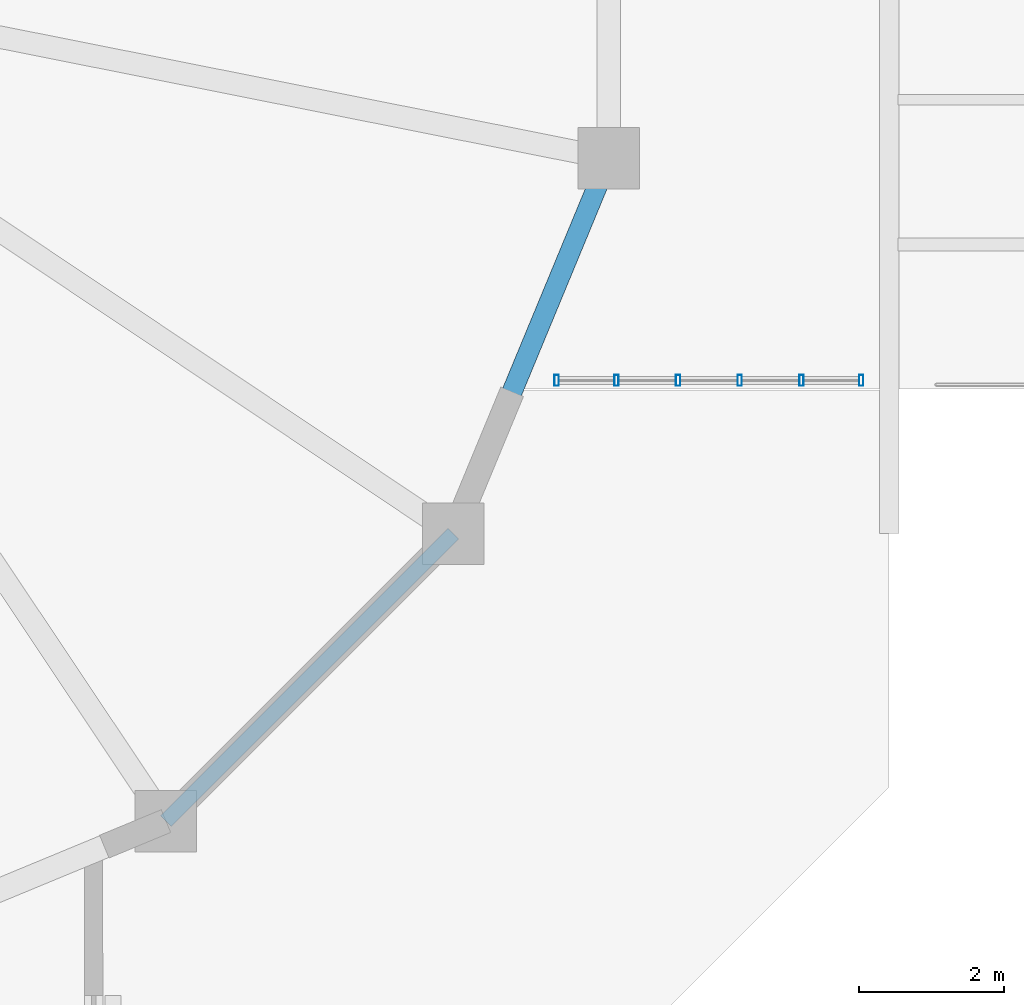
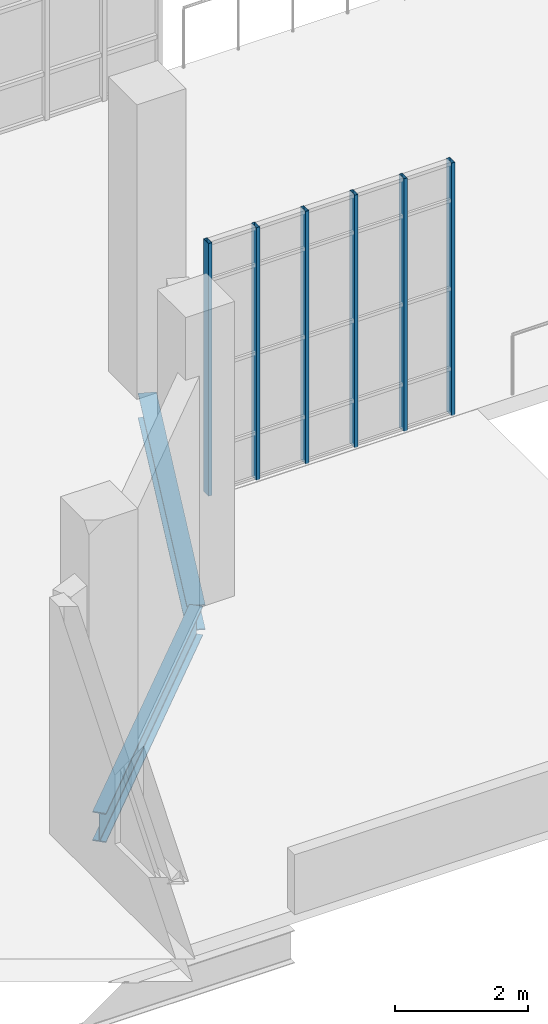
# One storey, part 21 of 142: 6 members, 2 beams, 1 element without a shape of its own.
"""IFC4 building model written with IfcOpenShell, lengths in metres."""

import ifcopenshell
import ifcopenshell.guid

model = None  # the IFC model being written
_history = None  # IfcOwnerHistory: only IFC2X3 demands one
_inside = {}  # id of a spatial element -> (the spatial element, [elements in it])
_under = {}  # id of a project, library or spatial element -> (it, [spatial elements below it])
_declared = {}  # id of a project -> (the project, [libraries it declares])
_typed = {}  # id of a type object -> (the type object, [elements of that type])
_made_of = {}  # id of a material, layer set ... -> (it, [elements and type objects made of it])


def new_model(schema):
    """Start an empty IFC model of exactly this schema.

    Asked for "IFC4X3", IfcOpenShell would pick the latest addendum, in which some entities
    have other attributes; the version numbers below select the first issue.
    IFC2X3 requires an IfcOwnerHistory on every rooted entity: one is made here for all.
    """
    global model, _history
    if schema == "IFC4X3":
        model = ifcopenshell.file(schema_version=(4, 3, 0, 0))
    else:
        model = ifcopenshell.file(schema=schema)
    _inside.clear()
    _under.clear()
    _declared.clear()
    _typed.clear()
    _made_of.clear()
    _history = None
    if model.schema == "IFC2X3":
        org = make("IfcOrganization", Name="unknown")
        user = make(
            "IfcPersonAndOrganization",
            ThePerson=make("IfcPerson", FamilyName="unknown"),
            TheOrganization=org,
        )
        app = make(
            "IfcApplication",
            ApplicationDeveloper=org,
            Version="unknown",
            ApplicationFullName="unknown",
            ApplicationIdentifier="unknown",
        )
        _history = make(
            "IfcOwnerHistory",
            OwningUser=user,
            OwningApplication=app,
            ChangeAction="ADDED",
            CreationDate=0,
        )
    return model


def make(cls, **values):
    """One entity of the class cls with the attributes given. An attribute that is None is left unset."""
    return model.create_entity(
        cls, **{name: value for name, value in values.items() if value is not None}
    )


def rooted(cls, **values):
    """An entity with a GlobalId (a new one), such as an element, a storey or a relation."""
    return make(cls, GlobalId=ifcopenshell.guid.new(), OwnerHistory=_history, **values)


def si_unit(unit_type, name, prefix=None):
    """IfcSIUnit, for example si_unit("LENGTHUNIT", "METRE", prefix="MILLI")."""
    return make("IfcSIUnit", UnitType=unit_type, Prefix=prefix, Name=name)


def assignment(units):
    """IfcUnitAssignment: the units of a project."""
    return None if units is None else make("IfcUnitAssignment", Units=units)


def point(xyz):
    """IfcCartesianPoint."""
    return None if xyz is None else make("IfcCartesianPoint", Coordinates=xyz)


def direction(xyz):
    """IfcDirection."""
    return None if xyz is None else make("IfcDirection", DirectionRatios=xyz)


def frame(location, z_axis=None, x_axis=None):
    """IfcAxis2Placement3D, a coordinate frame: its origin and axes. An axis left out is left unset."""
    return make(
        "IfcAxis2Placement3D",
        Location=point(location),
        Axis=direction(z_axis),
        RefDirection=direction(x_axis),
    )


def frame_2d(location, x_axis=None):
    """IfcAxis2Placement2D, a coordinate frame in the plane: its origin and x axis."""
    return make(
        "IfcAxis2Placement2D", Location=point(location), RefDirection=direction(x_axis)
    )


def origin():
    """The frame at (0, 0, 0) with its axes left unset."""
    return frame((0.0, 0.0, 0.0))


def origin_2d():
    """The frame at (0, 0) in the plane with its x axis left unset."""
    return frame_2d((0.0, 0.0))


def place(relative_to, where):
    """IfcLocalPlacement: puts the frame where relative to a parent placement (None: the world)."""
    return make(
        "IfcLocalPlacement", PlacementRelTo=relative_to, RelativePlacement=where
    )


def context(
    kind, dimensions, precision=None, world=None, true_north=None, identifier=None
):
    """IfcGeometricRepresentationContext, for example the 3D "Model" context."""
    return make(
        "IfcGeometricRepresentationContext",
        ContextIdentifier=identifier,
        ContextType=kind,
        CoordinateSpaceDimension=dimensions,
        Precision=precision,
        WorldCoordinateSystem=world,
        TrueNorth=true_north,
    )


def subcontext(parent, identifier, kind, view, scale=None):
    """IfcGeometricRepresentationSubContext, for example "Body" below "Model"."""
    return make(
        "IfcGeometricRepresentationSubContext",
        ContextIdentifier=identifier,
        ContextType=kind,
        ParentContext=parent,
        TargetScale=scale,
        TargetView=view,
    )


def project(units=None, contexts=None):
    """IfcProject with its units and contexts."""
    return rooted(
        "IfcProject",
        Name="project",
        RepresentationContexts=contexts,
        UnitsInContext=assignment(units),
    )


def spatial(cls, under=None, at=None, **own):
    """A site, building, storey or space (cls), placed at a placement, below another one or the project."""
    s = rooted(cls, ObjectPlacement=at, **own)
    if under is not None:
        _under.setdefault(under.id(), (under, []))[1].append(s)
    return s


def profile(cls, at=None, kind="AREA", **sizes):
    """A parametric profile (cls). Its sizes go by their IFC names, for example OverallWidth=200.0."""
    return make(cls, ProfileType=kind, Position=at, **sizes)


def hollow_rectangle(**sizes):
    """IfcRectangleHollowProfileDef."""
    return profile("IfcRectangleHollowProfileDef", **sizes)


def i_section(**sizes):
    """IfcIShapeProfileDef."""
    return profile("IfcIShapeProfileDef", **sizes)


def extrude(swept, where, along, depth):
    """IfcExtrudedAreaSolid: the profile swept, set in the frame where, extruded along a direction by depth."""
    return make(
        "IfcExtrudedAreaSolid",
        SweptArea=swept,
        Position=where,
        ExtrudedDirection=direction(along),
        Depth=depth,
    )


def shape(context_of_items, identifier, shape_type, items):
    """IfcShapeRepresentation: the items that make up one representation, for example the "Body"."""
    return make(
        "IfcShapeRepresentation",
        ContextOfItems=context_of_items,
        RepresentationIdentifier=identifier,
        RepresentationType=shape_type,
        Items=items,
    )


def material(Name=None, Category=None):
    """IfcMaterial."""
    return make("IfcMaterial", Name=Name, Category=Category)


def layer(
    of_material, thickness, ventilated=None, Name=None, Category=None, Priority=None
):
    """IfcMaterialLayer: one layer of a wall or slab, of a material (None: an air gap)."""
    return make(
        "IfcMaterialLayer",
        Material=of_material,
        LayerThickness=thickness,
        IsVentilated=ventilated,
        Name=Name,
        Category=Category,
        Priority=Priority,
    )


def layer_set(layers, Name=None):
    """IfcMaterialLayerSet."""
    return make("IfcMaterialLayerSet", MaterialLayers=layers, LayerSetName=Name)


def material_profile(
    of_material, cross_section, Name=None, Category=None, Priority=None
):
    """IfcMaterialProfile: a cross section and its material."""
    return make(
        "IfcMaterialProfile",
        Name=Name,
        Material=of_material,
        Profile=cross_section,
        Priority=Priority,
        Category=Category,
    )


def profile_set(profiles, Name=None, composite=None):
    """IfcMaterialProfileSet."""
    return make(
        "IfcMaterialProfileSet",
        Name=Name,
        MaterialProfiles=profiles,
        CompositeProfile=composite,
    )


def made_of(thing, what):
    """Note that an element or type object is made of a material, layer set ...; save() writes the relation."""
    if what is not None:
        _made_of.setdefault(what.id(), (what, []))[1].append(thing)
    return thing


def type_object(cls, material=None, **own):
    """A type object (cls), such as IfcWallType, which elements share."""
    return made_of(rooted(cls, **own), material)


def element(
    cls,
    number,
    at=None,
    inside=None,
    cuts=None,
    type_object=None,
    material=None,
    context=None,
    identifier="Body",
    shape_type=None,
    held_by="IfcProductDefinitionShape",
    body=None,
    shapes=None,
    **own,
):
    """One element of the class cls, such as IfcWall. Its Tag is "e" and its number.

    at: its placement. inside: the storey or other place that contains it. cuts: it is an
    opening in that element (IfcRelVoidsElement). A single representation is given by context,
    identifier, shape_type and body (its items); several are given by shapes. held_by: the class
    of the entity that holds the representations. save() writes the other relations.
    """
    e = rooted(cls, Tag="e%d" % number, ObjectPlacement=at, **own)
    if body is not None:
        shapes = [shape(context, identifier, shape_type, body)]
    if shapes is not None:
        e.Representation = make(held_by, Representations=shapes)
    if inside is not None:
        _inside.setdefault(inside.id(), (inside, []))[1].append(e)
    if cuts is not None:
        rooted(
            "IfcRelVoidsElement", RelatingBuildingElement=cuts, RelatedOpeningElement=e
        )
    if type_object is not None:
        _typed.setdefault(type_object.id(), (type_object, []))[1].append(e)
    return made_of(e, material)


def aggregate(whole, parts):
    """IfcRelAggregates: a whole, such as a stair, and the parts it consists of."""
    return rooted("IfcRelAggregates", RelatingObject=whole, RelatedObjects=parts)


def save(model, path):
    """Write the relations noted so far, then the file.

    IfcRelAggregates (storeys below a building ...), IfcRelContainedInSpatialStructure (elements
    in a storey), IfcRelDefinesByType, IfcRelAssociatesMaterial and IfcRelDeclares: one each for
    every whole, place, type object, material and project.
    """
    for whole, parts in _under.values():
        aggregate(whole, parts)
    for where, things in _inside.values():
        rooted(
            "IfcRelContainedInSpatialStructure",
            RelatedElements=things,
            RelatingStructure=where,
        )
    for kind, things in _typed.values():
        rooted("IfcRelDefinesByType", RelatedObjects=things, RelatingType=kind)
    for what, things in _made_of.values():
        rooted("IfcRelAssociatesMaterial", RelatedObjects=things, RelatingMaterial=what)
    for by, libraries in _declared.values():
        rooted("IfcRelDeclares", RelatingContext=by, RelatedDefinitions=libraries)
    model.write(path)


model = new_model("IFC4")

# Units and contexts
model_context = context("Model", 3, precision=1e-05, world=origin(), true_north=direction((0.0, 1.0)))
body_context = subcontext(model_context, "Body", "Model", "MODEL_VIEW")
ifc_project = project(units=[si_unit("LENGTHUNIT", "METRE"), si_unit("AREAUNIT", "SQUARE_METRE"), si_unit("VOLUMEUNIT", "CUBIC_METRE"), si_unit("PLANEANGLEUNIT", "RADIAN"), si_unit("MASSUNIT", "GRAM", prefix="KILO"), si_unit("THERMODYNAMICTEMPERATUREUNIT", "KELVIN"), si_unit("POWERUNIT", "WATT")], contexts=[model_context])

# Site, building, storey
site_placement = place(None, origin())
site = spatial("IfcSite", under=ifc_project, at=site_placement, CompositionType="ELEMENT")
building_placement = place(site_placement, origin())
building = spatial("IfcBuilding", under=site, at=building_placement, Name="Zelmaris Science Centre", CompositionType="ELEMENT")
storey_placement = place(building_placement, frame((0.0, 0.0, 5.39990234375)))
storey = spatial("IfcBuildingStorey", under=building, at=storey_placement, Name="L01", CompositionType="ELEMENT", Elevation=5.39990234375)

# Curtain wall, members
ifc_material_1 = material(Name="Anodised architectural aluminium 6063-T6", Category="aluminium")
ifc_layer = layer(ifc_material_1, 0.219970703125, Name="Anodised architectural aluminium 6063-T6")
ifc_layer_set = layer_set([ifc_layer], Name="Anodised architectural aluminium 6063-T6")
curtain_wall_type = type_object("IfcCurtainWallType", Name="Curtain Wall CW-04", PredefinedType="USERDEFINED", material=ifc_layer_set)
curtain_wall_placement = place(storey_placement, origin())
curtain_wall = element("IfcCurtainWall", 1, at=curtain_wall_placement, inside=storey, type_object=curtain_wall_type, Name="L01 Unitised curtain wall 200", ObjectType="GLAZED CURTAIN WALL", PredefinedType="USERDEFINED")
ifc_material_profile_1 = material_profile(ifc_material_1, hollow_rectangle(XDim=0.06005859375, YDim=0.14990234375, WallThickness=0.00341796875, at=origin_2d()), Name="ALU-MUL-60X150")
ifc_profile_set_1 = profile_set([ifc_material_profile_1], Name="Anodised architectural aluminium 6063-T6")
member_type = type_object("IfcMemberType", Name="ALU-MUL-60X150", PredefinedType="MULLION", material=ifc_profile_set_1)
member_1_placement = place(storey_placement, frame((44.61328125, 66.11962890625, -0.014892578125), z_axis=(0.0, 0.0, 1.0), x_axis=(-1.0, 0.0, 0.0)))
member_1 = element("IfcMember", 2, at=member_1_placement, type_object=member_type, Name="CW-04 mullion 1", PredefinedType="MULLION", context=body_context, shape_type="SweptSolid", body=[
    extrude(hollow_rectangle(XDim=0.06005859375, YDim=0.14990234375, WallThickness=0.00341796875, at=origin_2d()), origin(), (0.0, 0.0, 1.0), 4.635009765625),
])
member_2_placement = place(storey_placement, frame((43.78662109375, 66.11962890625, -0.014892578125), z_axis=(0.0, 0.0, 1.0), x_axis=(-1.0, 0.0, 0.0)))
member_2 = element("IfcMember", 3, at=member_2_placement, type_object=member_type, Name="CW-04 mullion 2", PredefinedType="MULLION", context=body_context, shape_type="SweptSolid", body=[
    extrude(hollow_rectangle(XDim=0.06005859375, YDim=0.14990234375, WallThickness=0.00341796875, at=origin_2d()), origin(), (0.0, 0.0, 1.0), 4.635009765625),
])
member_3_placement = place(storey_placement, frame((42.933837890625, 66.11962890625, -0.014892578125), z_axis=(0.0, 0.0, 1.0), x_axis=(-1.0, 0.0, 0.0)))
member_3 = element("IfcMember", 4, at=member_3_placement, type_object=member_type, Name="CW-04 mullion 3", PredefinedType="MULLION", context=body_context, shape_type="SweptSolid", body=[
    extrude(hollow_rectangle(XDim=0.06005859375, YDim=0.14990234375, WallThickness=0.00341796875, at=origin_2d()), origin(), (0.0, 0.0, 1.0), 4.635009765625),
])
member_4_placement = place(storey_placement, frame((42.081298828125, 66.11962890625, -0.014892578125), z_axis=(0.0, 0.0, 1.0), x_axis=(-1.0, 0.0, 0.0)))
member_4 = element("IfcMember", 5, at=member_4_placement, type_object=member_type, Name="CW-04 mullion 4", PredefinedType="MULLION", context=body_context, shape_type="SweptSolid", body=[
    extrude(hollow_rectangle(XDim=0.06005859375, YDim=0.14990234375, WallThickness=0.00341796875, at=origin_2d()), origin(), (0.0, 0.0, 1.0), 4.635009765625),
])
member_5_placement = place(storey_placement, frame((41.228515625, 66.11962890625, -0.014892578125), z_axis=(0.0, 0.0, 1.0), x_axis=(-1.0, 0.0, 0.0)))
member_5 = element("IfcMember", 6, at=member_5_placement, type_object=member_type, Name="CW-04 mullion 5", PredefinedType="MULLION", context=body_context, shape_type="SweptSolid", body=[
    extrude(hollow_rectangle(XDim=0.06005859375, YDim=0.14990234375, WallThickness=0.00341796875, at=origin_2d()), origin(), (0.0, 0.0, 1.0), 4.635009765625),
])
member_6_placement = place(storey_placement, frame((40.40185546875, 66.11962890625, -0.014892578125), z_axis=(0.0, 0.0, 1.0), x_axis=(-1.0, 0.0, 0.0)))
member_6 = element("IfcMember", 7, at=member_6_placement, type_object=member_type, Name="CW-04 mullion 6", PredefinedType="MULLION", context=body_context, shape_type="SweptSolid", body=[
    extrude(hollow_rectangle(XDim=0.06005859375, YDim=0.14990234375, WallThickness=0.00341796875, at=origin_2d()), origin(), (0.0, 0.0, 1.0), 4.635009765625),
])
aggregate(curtain_wall, [member_1, member_2, member_3, member_4, member_5, member_6])

# Beams
ifc_material_2 = material(Name="Steel ASTM A992 Grade 50", Category="steel")
ifc_material_profile_2 = material_profile(ifc_material_2, i_section(OverallWidth=0.2109375, OverallDepth=0.5380859375, WebThickness=0.01171875, FlangeThickness=0.018798828125, FilletRadius=0.013916015625, at=origin_2d()), Name="W21X73")
ifc_profile_set_2 = profile_set([ifc_material_profile_2], Name="Steel ASTM A992 Grade 50")
beam_type_1 = type_object("IfcBeamType", Name="Beam SP-02 W21X73", PredefinedType="SPANDREL", material=ifc_profile_set_2)
beam_1_placement = place(storey_placement, frame((35.000244140625, 60.02685546875, -0.548828125), z_axis=(0.707106781187, 0.707106781187, 0.0), x_axis=(-0.707106781187, 0.707106781187, 0.0)))
element("IfcBeam", 8, at=beam_1_placement, inside=storey, type_object=beam_type_1, Name="L01 Planetarium drum ring beam 14", PredefinedType="SPANDREL", context=body_context, shape_type="SweptSolid", body=[
    extrude(i_section(OverallWidth=0.2109375, OverallDepth=0.5380859375, WebThickness=0.01171875, FlangeThickness=0.018798828125, FilletRadius=0.013916015625, at=origin_2d()), origin(), (0.0, 0.0, 1.0), 5.618408203125),
])
ifc_material_profile_3 = material_profile(ifc_material_2, i_section(OverallWidth=0.279052734375, OverallDepth=0.4619140625, WebThickness=0.0107421875, FlangeThickness=0.017333984375, FilletRadius=0.012939453125, at=origin_2d()), Name="W18X76")
ifc_profile_set_3 = profile_set([ifc_material_profile_3], Name="Steel ASTM A992 Grade 50")
beam_type_2 = type_object("IfcBeamType", Name="Beam SP-03 W18X76", PredefinedType="SPANDREL", material=ifc_profile_set_3)
beam_2_placement = place(storey_placement, frame((38.97314453125, 63.999755859375, -0.510986328125), z_axis=(0.38268310735, 0.923879667137, 0.0), x_axis=(-0.923879667137, 0.38268310735, 0.0)))
element("IfcBeam", 9, at=beam_2_placement, inside=storey, type_object=beam_type_2, Name="L01 Planetarium drum ring beam 15", PredefinedType="SPANDREL", context=body_context, shape_type="SweptSolid", body=[
    extrude(i_section(OverallWidth=0.279052734375, OverallDepth=0.4619140625, WebThickness=0.0107421875, FlangeThickness=0.017333984375, FilletRadius=0.012939453125, at=origin_2d()), origin(), (0.0, 0.0, 1.0), 5.61865234375),
])

save(model, "model.ifc")
